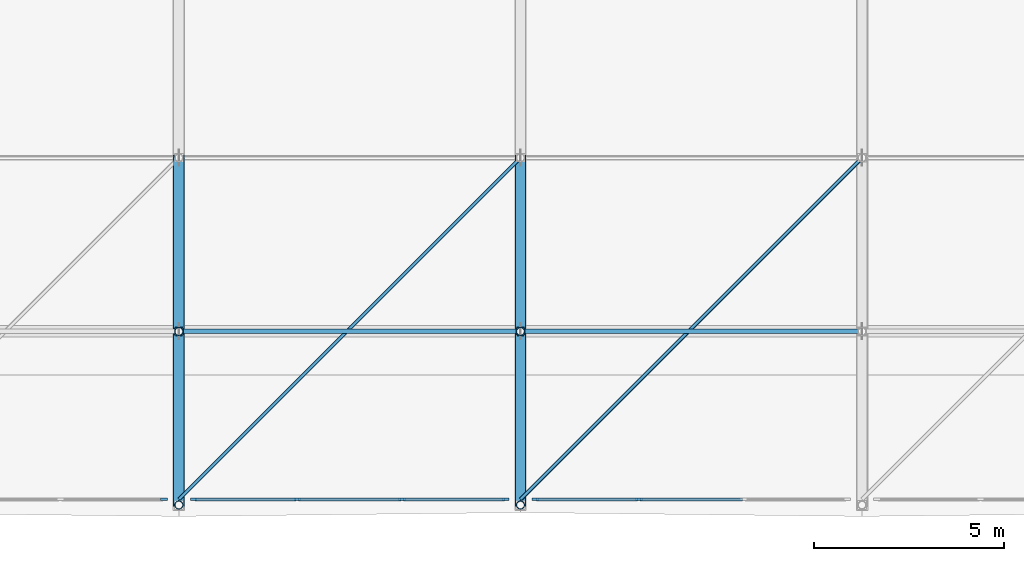
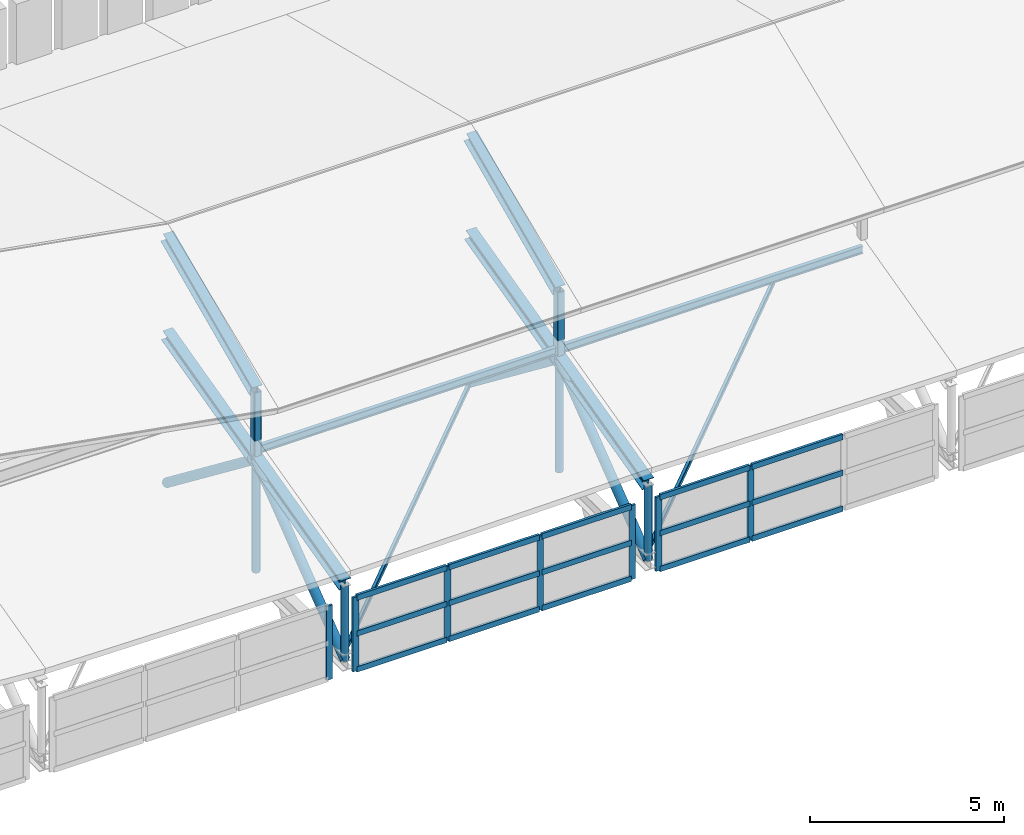
# One storey, part 3 of 42: 40 members, 3 elements without a shape of their own.
"""IFC4 building model written with IfcOpenShell, lengths in metres."""

import ifcopenshell
import ifcopenshell.guid

model = None  # the IFC model being written
_history = None  # IfcOwnerHistory: only IFC2X3 demands one
_inside = {}  # id of a spatial element -> (the spatial element, [elements in it])
_under = {}  # id of a project, library or spatial element -> (it, [spatial elements below it])
_declared = {}  # id of a project -> (the project, [libraries it declares])
_typed = {}  # id of a type object -> (the type object, [elements of that type])
_made_of = {}  # id of a material, layer set ... -> (it, [elements and type objects made of it])


def new_model(schema):
    """Start an empty IFC model of exactly this schema.

    Asked for "IFC4X3", IfcOpenShell would pick the latest addendum, in which some entities
    have other attributes; the version numbers below select the first issue.
    IFC2X3 requires an IfcOwnerHistory on every rooted entity: one is made here for all.
    """
    global model, _history
    if schema == "IFC4X3":
        model = ifcopenshell.file(schema_version=(4, 3, 0, 0))
    else:
        model = ifcopenshell.file(schema=schema)
    _inside.clear()
    _under.clear()
    _declared.clear()
    _typed.clear()
    _made_of.clear()
    _history = None
    if model.schema == "IFC2X3":
        org = make("IfcOrganization", Name="unknown")
        user = make(
            "IfcPersonAndOrganization",
            ThePerson=make("IfcPerson", FamilyName="unknown"),
            TheOrganization=org,
        )
        app = make(
            "IfcApplication",
            ApplicationDeveloper=org,
            Version="unknown",
            ApplicationFullName="unknown",
            ApplicationIdentifier="unknown",
        )
        _history = make(
            "IfcOwnerHistory",
            OwningUser=user,
            OwningApplication=app,
            ChangeAction="ADDED",
            CreationDate=0,
        )
    return model


def make(cls, **values):
    """One entity of the class cls with the attributes given. An attribute that is None is left unset."""
    return model.create_entity(
        cls, **{name: value for name, value in values.items() if value is not None}
    )


def rooted(cls, **values):
    """An entity with a GlobalId (a new one), such as an element, a storey or a relation."""
    return make(cls, GlobalId=ifcopenshell.guid.new(), OwnerHistory=_history, **values)


def si_unit(unit_type, name, prefix=None):
    """IfcSIUnit, for example si_unit("LENGTHUNIT", "METRE", prefix="MILLI")."""
    return make("IfcSIUnit", UnitType=unit_type, Prefix=prefix, Name=name)


def assignment(units):
    """IfcUnitAssignment: the units of a project."""
    return None if units is None else make("IfcUnitAssignment", Units=units)


def point(xyz):
    """IfcCartesianPoint."""
    return None if xyz is None else make("IfcCartesianPoint", Coordinates=xyz)


def direction(xyz):
    """IfcDirection."""
    return None if xyz is None else make("IfcDirection", DirectionRatios=xyz)


def frame(location, z_axis=None, x_axis=None):
    """IfcAxis2Placement3D, a coordinate frame: its origin and axes. An axis left out is left unset."""
    return make(
        "IfcAxis2Placement3D",
        Location=point(location),
        Axis=direction(z_axis),
        RefDirection=direction(x_axis),
    )


def frame_2d(location, x_axis=None):
    """IfcAxis2Placement2D, a coordinate frame in the plane: its origin and x axis."""
    return make(
        "IfcAxis2Placement2D", Location=point(location), RefDirection=direction(x_axis)
    )


def origin():
    """The frame at (0, 0, 0) with its axes left unset."""
    return frame((0.0, 0.0, 0.0))


def origin_2d():
    """The frame at (0, 0) in the plane with its x axis left unset."""
    return frame_2d((0.0, 0.0))


def place(relative_to, where):
    """IfcLocalPlacement: puts the frame where relative to a parent placement (None: the world)."""
    return make(
        "IfcLocalPlacement", PlacementRelTo=relative_to, RelativePlacement=where
    )


def context(
    kind, dimensions, precision=None, world=None, true_north=None, identifier=None
):
    """IfcGeometricRepresentationContext, for example the 3D "Model" context."""
    return make(
        "IfcGeometricRepresentationContext",
        ContextIdentifier=identifier,
        ContextType=kind,
        CoordinateSpaceDimension=dimensions,
        Precision=precision,
        WorldCoordinateSystem=world,
        TrueNorth=true_north,
    )


def subcontext(parent, identifier, kind, view, scale=None):
    """IfcGeometricRepresentationSubContext, for example "Body" below "Model"."""
    return make(
        "IfcGeometricRepresentationSubContext",
        ContextIdentifier=identifier,
        ContextType=kind,
        ParentContext=parent,
        TargetScale=scale,
        TargetView=view,
    )


def project(units=None, contexts=None):
    """IfcProject with its units and contexts."""
    return rooted(
        "IfcProject",
        Name="project",
        RepresentationContexts=contexts,
        UnitsInContext=assignment(units),
    )


def spatial(cls, under=None, at=None, **own):
    """A site, building, storey or space (cls), placed at a placement, below another one or the project."""
    s = rooted(cls, ObjectPlacement=at, **own)
    if under is not None:
        _under.setdefault(under.id(), (under, []))[1].append(s)
    return s


def profile(cls, at=None, kind="AREA", **sizes):
    """A parametric profile (cls). Its sizes go by their IFC names, for example OverallWidth=200.0."""
    return make(cls, ProfileType=kind, Position=at, **sizes)


def rectangle(**sizes):
    """IfcRectangleProfileDef."""
    return profile("IfcRectangleProfileDef", **sizes)


def hollow_rectangle(**sizes):
    """IfcRectangleHollowProfileDef."""
    return profile("IfcRectangleHollowProfileDef", **sizes)


def hollow_circle(**sizes):
    """IfcCircleHollowProfileDef."""
    return profile("IfcCircleHollowProfileDef", **sizes)


def i_section(**sizes):
    """IfcIShapeProfileDef."""
    return profile("IfcIShapeProfileDef", **sizes)


def extrude(swept, where, along, depth):
    """IfcExtrudedAreaSolid: the profile swept, set in the frame where, extruded along a direction by depth."""
    return make(
        "IfcExtrudedAreaSolid",
        SweptArea=swept,
        Position=where,
        ExtrudedDirection=direction(along),
        Depth=depth,
    )


def shape(context_of_items, identifier, shape_type, items):
    """IfcShapeRepresentation: the items that make up one representation, for example the "Body"."""
    return make(
        "IfcShapeRepresentation",
        ContextOfItems=context_of_items,
        RepresentationIdentifier=identifier,
        RepresentationType=shape_type,
        Items=items,
    )


def material(Name=None, Category=None):
    """IfcMaterial."""
    return make("IfcMaterial", Name=Name, Category=Category)


def material_profile(
    of_material, cross_section, Name=None, Category=None, Priority=None
):
    """IfcMaterialProfile: a cross section and its material."""
    return make(
        "IfcMaterialProfile",
        Name=Name,
        Material=of_material,
        Profile=cross_section,
        Priority=Priority,
        Category=Category,
    )


def profile_set(profiles, Name=None, composite=None):
    """IfcMaterialProfileSet."""
    return make(
        "IfcMaterialProfileSet",
        Name=Name,
        MaterialProfiles=profiles,
        CompositeProfile=composite,
    )


def made_of(thing, what):
    """Note that an element or type object is made of a material, layer set ...; save() writes the relation."""
    if what is not None:
        _made_of.setdefault(what.id(), (what, []))[1].append(thing)
    return thing


def type_object(cls, material=None, **own):
    """A type object (cls), such as IfcWallType, which elements share."""
    return made_of(rooted(cls, **own), material)


def element(
    cls,
    number,
    at=None,
    inside=None,
    cuts=None,
    type_object=None,
    material=None,
    context=None,
    identifier="Body",
    shape_type=None,
    held_by="IfcProductDefinitionShape",
    body=None,
    shapes=None,
    **own,
):
    """One element of the class cls, such as IfcWall. Its Tag is "e" and its number.

    at: its placement. inside: the storey or other place that contains it. cuts: it is an
    opening in that element (IfcRelVoidsElement). A single representation is given by context,
    identifier, shape_type and body (its items); several are given by shapes. held_by: the class
    of the entity that holds the representations. save() writes the other relations.
    """
    e = rooted(cls, Tag="e%d" % number, ObjectPlacement=at, **own)
    if body is not None:
        shapes = [shape(context, identifier, shape_type, body)]
    if shapes is not None:
        e.Representation = make(held_by, Representations=shapes)
    if inside is not None:
        _inside.setdefault(inside.id(), (inside, []))[1].append(e)
    if cuts is not None:
        rooted(
            "IfcRelVoidsElement", RelatingBuildingElement=cuts, RelatedOpeningElement=e
        )
    if type_object is not None:
        _typed.setdefault(type_object.id(), (type_object, []))[1].append(e)
    return made_of(e, material)


def aggregate(whole, parts):
    """IfcRelAggregates: a whole, such as a stair, and the parts it consists of."""
    return rooted("IfcRelAggregates", RelatingObject=whole, RelatedObjects=parts)


def save(model, path):
    """Write the relations noted so far, then the file.

    IfcRelAggregates (storeys below a building ...), IfcRelContainedInSpatialStructure (elements
    in a storey), IfcRelDefinesByType, IfcRelAssociatesMaterial and IfcRelDeclares: one each for
    every whole, place, type object, material and project.
    """
    for whole, parts in _under.values():
        aggregate(whole, parts)
    for where, things in _inside.values():
        rooted(
            "IfcRelContainedInSpatialStructure",
            RelatedElements=things,
            RelatingStructure=where,
        )
    for kind, things in _typed.values():
        rooted("IfcRelDefinesByType", RelatedObjects=things, RelatingType=kind)
    for what, things in _made_of.values():
        rooted("IfcRelAssociatesMaterial", RelatedObjects=things, RelatingMaterial=what)
    for by, libraries in _declared.values():
        rooted("IfcRelDeclares", RelatingContext=by, RelatedDefinitions=libraries)
    model.write(path)


model = new_model("IFC4")

# Units and contexts
model_context = context("Model", 3, precision=1e-05, world=origin(), true_north=direction((0.0, 1.0)))
body_context = subcontext(model_context, "Body", "Model", "MODEL_VIEW")
ifc_project = project(units=[si_unit("LENGTHUNIT", "METRE"), si_unit("AREAUNIT", "SQUARE_METRE"), si_unit("VOLUMEUNIT", "CUBIC_METRE"), si_unit("PLANEANGLEUNIT", "RADIAN"), si_unit("MASSUNIT", "GRAM", prefix="KILO")], contexts=[model_context])

# Site, building, storey
site_placement = place(None, origin())
site = spatial("IfcSite", under=ifc_project, at=site_placement, CompositionType="ELEMENT")
building_placement = place(site_placement, origin())
building = spatial("IfcBuilding", under=site, at=building_placement, Name="Bozkorgan Art Gallery", CompositionType="ELEMENT")
storey_placement = place(building_placement, frame((0.0, 0.0, 28.800048828125)))
storey = spatial("IfcBuildingStorey", under=building, at=storey_placement, Name="RF", CompositionType="ELEMENT", Elevation=28.800048828125)

# Curtain wall, member
ifc_material_1 = material(Name="Anodised Bronze Aluminium", Category="aluminium")
curtain_wall_type = type_object("IfcCurtainWallType", Name="CW-CW-28", PredefinedType="NOTDEFINED", material=ifc_material_1)
curtain_wall_1_placement = place(storey_placement, origin())
curtain_wall_1 = element("IfcCurtainWall", 1, at=curtain_wall_1_placement, inside=storey, type_object=curtain_wall_type, Name="RF unitised curtain wall CW-RF-V1-S-11", PredefinedType="NOTDEFINED")
ifc_material_profile_1 = material_profile(ifc_material_1, rectangle(XDim=0.06494140625, YDim=0.179931640625, at=origin_2d()), Name="ALU MULLION 65x180")
ifc_profile_set_1 = profile_set([ifc_material_profile_1], Name="Anodised Bronze Aluminium")
member_type_1 = type_object("IfcMemberType", Name="CWM-01", PredefinedType="MULLION", material=ifc_profile_set_1)
member_1_placement = place(storey_placement, frame((19.607421875, 2.0, -0.324951171875), z_axis=(0.0, 0.0, 1.0), x_axis=(0.0, 1.0, 0.0)))
member_1 = element("IfcMember", 2, at=member_1_placement, type_object=member_type_1, Name="CW-28 mullion 4", PredefinedType="MULLION", context=body_context, shape_type="SweptSolid", body=[
    extrude(rectangle(XDim=0.06494140625, YDim=0.179931640625, at=origin_2d()), origin(), (0.0, 0.0, 1.0), 2.324951171875),
])
aggregate(curtain_wall_1, [member_1])

# Curtain wall, members
curtain_wall_2_placement = place(storey_placement, origin())
curtain_wall_2 = element("IfcCurtainWall", 3, at=curtain_wall_2_placement, inside=storey, type_object=curtain_wall_type, Name="RF unitised curtain wall CW-RF-V1-S-20", PredefinedType="NOTDEFINED")
member_2_placement = place(storey_placement, frame((20.392578125, 2.0, -0.324951171875), z_axis=(0.0, 0.0, 1.0), x_axis=(0.0, 1.0, 0.0)))
member_2 = element("IfcMember", 4, at=member_2_placement, type_object=member_type_1, Name="CW-28 mullion 1", PredefinedType="MULLION", context=body_context, shape_type="SweptSolid", body=[
    extrude(rectangle(XDim=0.06494140625, YDim=0.179931640625, at=origin_2d()), origin(), (0.0, 0.0, 1.0), 2.324951171875),
])
member_3_placement = place(storey_placement, frame((23.1201171875, 2.0, -0.324951171875), z_axis=(0.0, 0.0, 1.0), x_axis=(0.0, 1.0, 0.0)))
member_3 = element("IfcMember", 5, at=member_3_placement, type_object=member_type_1, Name="CW-28 mullion 2", PredefinedType="MULLION", context=body_context, shape_type="SweptSolid", body=[
    extrude(rectangle(XDim=0.06494140625, YDim=0.179931640625, at=origin_2d()), origin(), (0.0, 0.0, 1.0), 2.324951171875),
])
member_4_placement = place(storey_placement, frame((25.8798828125, 2.0, -0.324951171875), z_axis=(0.0, 0.0, 1.0), x_axis=(0.0, 1.0, 0.0)))
member_4 = element("IfcMember", 6, at=member_4_placement, type_object=member_type_1, Name="CW-28 mullion 3", PredefinedType="MULLION", context=body_context, shape_type="SweptSolid", body=[
    extrude(rectangle(XDim=0.06494140625, YDim=0.179931640625, at=origin_2d()), origin(), (0.0, 0.0, 1.0), 2.324951171875),
])
member_5_placement = place(storey_placement, frame((28.607421875, 2.0, -0.324951171875), z_axis=(0.0, 0.0, 1.0), x_axis=(0.0, 1.0, 0.0)))
member_5 = element("IfcMember", 7, at=member_5_placement, type_object=member_type_1, Name="CW-28 mullion 4", PredefinedType="MULLION", context=body_context, shape_type="SweptSolid", body=[
    extrude(rectangle(XDim=0.06494140625, YDim=0.179931640625, at=origin_2d()), origin(), (0.0, 0.0, 1.0), 2.324951171875),
])

curtain_wall_3_placement = place(storey_placement, origin())
curtain_wall_3 = element("IfcCurtainWall", 8, at=curtain_wall_3_placement, inside=storey, type_object=curtain_wall_type, Name="RF unitised curtain wall CW-RF-V1-S-29", PredefinedType="NOTDEFINED")
member_6_placement = place(storey_placement, frame((29.392578125, 2.0, -0.324951171875), z_axis=(0.0, 0.0, 1.0), x_axis=(0.0, 1.0, 0.0)))
member_6 = element("IfcMember", 9, at=member_6_placement, type_object=member_type_1, Name="CW-28 mullion 1", PredefinedType="MULLION", context=body_context, shape_type="SweptSolid", body=[
    extrude(rectangle(XDim=0.06494140625, YDim=0.179931640625, at=origin_2d()), origin(), (0.0, 0.0, 1.0), 2.324951171875),
])
member_7_placement = place(storey_placement, frame((32.1201171875, 2.0, -0.324951171875), z_axis=(0.0, 0.0, 1.0), x_axis=(0.0, 1.0, 0.0)))
member_7 = element("IfcMember", 10, at=member_7_placement, type_object=member_type_1, Name="CW-28 mullion 2", PredefinedType="MULLION", context=body_context, shape_type="SweptSolid", body=[
    extrude(rectangle(XDim=0.06494140625, YDim=0.179931640625, at=origin_2d()), origin(), (0.0, 0.0, 1.0), 2.324951171875),
])

# Member
ifc_material_profile_2 = material_profile(ifc_material_1, rectangle(XDim=0.074951171875, YDim=0.169921875, at=origin_2d()), Name="ALU TRANSOM 75x170")
ifc_profile_set_2 = profile_set([ifc_material_profile_2], Name="Anodised Bronze Aluminium")
member_type_2 = type_object("IfcMemberType", Name="CWT-02", PredefinedType="USERDEFINED", material=ifc_profile_set_2)
member_8_placement = place(storey_placement, frame((20.425048828125, 2.0, -0.28759765625), z_axis=(1.0, 0.0, 0.0), x_axis=(0.0, 1.0, 0.0)))
member_8 = element("IfcMember", 11, at=member_8_placement, type_object=member_type_2, Name="CW-28 transom 1.1", ObjectType="TRANSOM", PredefinedType="USERDEFINED", context=body_context, shape_type="SweptSolid", body=[
    extrude(rectangle(XDim=0.074951171875, YDim=0.169921875, at=origin_2d()), origin(), (0.0, 0.0, 1.0), 2.662353515625),
])

member_9_placement = place(storey_placement, frame((20.425048828125, 2.0, 0.837890625), z_axis=(1.0, 0.0, 0.0), x_axis=(0.0, 1.0, 0.0)))
member_9 = element("IfcMember", 12, at=member_9_placement, type_object=member_type_2, Name="CW-28 transom 1.2", ObjectType="TRANSOM", PredefinedType="USERDEFINED", context=body_context, shape_type="SweptSolid", body=[
    extrude(rectangle(XDim=0.074951171875, YDim=0.169921875, at=origin_2d()), origin(), (0.0, 0.0, 1.0), 2.662353515625),
])

member_10_placement = place(storey_placement, frame((20.425048828125, 2.0, 1.96240234375), z_axis=(1.0, 0.0, 0.0), x_axis=(0.0, 1.0, 0.0)))
member_10 = element("IfcMember", 13, at=member_10_placement, type_object=member_type_2, Name="CW-28 transom 1.3", ObjectType="TRANSOM", PredefinedType="USERDEFINED", context=body_context, shape_type="SweptSolid", body=[
    extrude(rectangle(XDim=0.074951171875, YDim=0.169921875, at=origin_2d()), origin(), (0.0, 0.0, 1.0), 2.662353515625),
])

member_11_placement = place(storey_placement, frame((23.152587890625, 2.0, -0.28759765625), z_axis=(1.0, 0.0, 0.0), x_axis=(0.0, 1.0, 0.0)))
member_11 = element("IfcMember", 14, at=member_11_placement, type_object=member_type_2, Name="CW-28 transom 2.1", ObjectType="TRANSOM", PredefinedType="USERDEFINED", context=body_context, shape_type="SweptSolid", body=[
    extrude(rectangle(XDim=0.074951171875, YDim=0.169921875, at=origin_2d()), origin(), (0.0, 0.0, 1.0), 2.69482421875),
])

member_12_placement = place(storey_placement, frame((23.152587890625, 2.0, 0.837890625), z_axis=(1.0, 0.0, 0.0), x_axis=(0.0, 1.0, 0.0)))
member_12 = element("IfcMember", 15, at=member_12_placement, type_object=member_type_2, Name="CW-28 transom 2.2", ObjectType="TRANSOM", PredefinedType="USERDEFINED", context=body_context, shape_type="SweptSolid", body=[
    extrude(rectangle(XDim=0.074951171875, YDim=0.169921875, at=origin_2d()), origin(), (0.0, 0.0, 1.0), 2.69482421875),
])

member_13_placement = place(storey_placement, frame((23.152587890625, 2.0, 1.96240234375), z_axis=(1.0, 0.0, 0.0), x_axis=(0.0, 1.0, 0.0)))
member_13 = element("IfcMember", 16, at=member_13_placement, type_object=member_type_2, Name="CW-28 transom 2.3", ObjectType="TRANSOM", PredefinedType="USERDEFINED", context=body_context, shape_type="SweptSolid", body=[
    extrude(rectangle(XDim=0.074951171875, YDim=0.169921875, at=origin_2d()), origin(), (0.0, 0.0, 1.0), 2.69482421875),
])

member_14_placement = place(storey_placement, frame((25.91259765625, 2.0, -0.28759765625), z_axis=(1.0, 0.0, 0.0), x_axis=(0.0, 1.0, 0.0)))
member_14 = element("IfcMember", 17, at=member_14_placement, type_object=member_type_2, Name="CW-28 transom 3.1", ObjectType="TRANSOM", PredefinedType="USERDEFINED", context=body_context, shape_type="SweptSolid", body=[
    extrude(rectangle(XDim=0.074951171875, YDim=0.169921875, at=origin_2d()), origin(), (0.0, 0.0, 1.0), 2.662353515625),
])

member_15_placement = place(storey_placement, frame((25.91259765625, 2.0, 0.837890625), z_axis=(1.0, 0.0, 0.0), x_axis=(0.0, 1.0, 0.0)))
member_15 = element("IfcMember", 18, at=member_15_placement, type_object=member_type_2, Name="CW-28 transom 3.2", ObjectType="TRANSOM", PredefinedType="USERDEFINED", context=body_context, shape_type="SweptSolid", body=[
    extrude(rectangle(XDim=0.074951171875, YDim=0.169921875, at=origin_2d()), origin(), (0.0, 0.0, 1.0), 2.662353515625),
])

member_16_placement = place(storey_placement, frame((25.91259765625, 2.0, 1.96240234375), z_axis=(1.0, 0.0, 0.0), x_axis=(0.0, 1.0, 0.0)))
member_16 = element("IfcMember", 19, at=member_16_placement, type_object=member_type_2, Name="CW-28 transom 3.3", ObjectType="TRANSOM", PredefinedType="USERDEFINED", context=body_context, shape_type="SweptSolid", body=[
    extrude(rectangle(XDim=0.074951171875, YDim=0.169921875, at=origin_2d()), origin(), (0.0, 0.0, 1.0), 2.662353515625),
])

aggregate(curtain_wall_2, [member_2, member_3, member_4, member_5, member_8, member_9, member_10, member_11, member_12, member_13, member_14, member_15, member_16])

member_17_placement = place(storey_placement, frame((29.425048828125, 2.0, -0.28759765625), z_axis=(1.0, 0.0, 0.0), x_axis=(0.0, 1.0, 0.0)))
member_17 = element("IfcMember", 20, at=member_17_placement, type_object=member_type_2, Name="CW-28 transom 1.1", ObjectType="TRANSOM", PredefinedType="USERDEFINED", context=body_context, shape_type="SweptSolid", body=[
    extrude(rectangle(XDim=0.074951171875, YDim=0.169921875, at=origin_2d()), origin(), (0.0, 0.0, 1.0), 2.662353515625),
])

member_18_placement = place(storey_placement, frame((29.425048828125, 2.0, 0.837890625), z_axis=(1.0, 0.0, 0.0), x_axis=(0.0, 1.0, 0.0)))
member_18 = element("IfcMember", 21, at=member_18_placement, type_object=member_type_2, Name="CW-28 transom 1.2", ObjectType="TRANSOM", PredefinedType="USERDEFINED", context=body_context, shape_type="SweptSolid", body=[
    extrude(rectangle(XDim=0.074951171875, YDim=0.169921875, at=origin_2d()), origin(), (0.0, 0.0, 1.0), 2.662353515625),
])

member_19_placement = place(storey_placement, frame((29.425048828125, 2.0, 1.96240234375), z_axis=(1.0, 0.0, 0.0), x_axis=(0.0, 1.0, 0.0)))
member_19 = element("IfcMember", 22, at=member_19_placement, type_object=member_type_2, Name="CW-28 transom 1.3", ObjectType="TRANSOM", PredefinedType="USERDEFINED", context=body_context, shape_type="SweptSolid", body=[
    extrude(rectangle(XDim=0.074951171875, YDim=0.169921875, at=origin_2d()), origin(), (0.0, 0.0, 1.0), 2.662353515625),
])

member_20_placement = place(storey_placement, frame((32.152587890625, 2.0, -0.28759765625), z_axis=(1.0, 0.0, 0.0), x_axis=(0.0, 1.0, 0.0)))
member_20 = element("IfcMember", 23, at=member_20_placement, type_object=member_type_2, Name="CW-28 transom 2.1", ObjectType="TRANSOM", PredefinedType="USERDEFINED", context=body_context, shape_type="SweptSolid", body=[
    extrude(rectangle(XDim=0.074951171875, YDim=0.169921875, at=origin_2d()), origin(), (0.0, 0.0, 1.0), 2.69482421875),
])

member_21_placement = place(storey_placement, frame((32.152587890625, 2.0, 0.837890625), z_axis=(1.0, 0.0, 0.0), x_axis=(0.0, 1.0, 0.0)))
member_21 = element("IfcMember", 24, at=member_21_placement, type_object=member_type_2, Name="CW-28 transom 2.2", ObjectType="TRANSOM", PredefinedType="USERDEFINED", context=body_context, shape_type="SweptSolid", body=[
    extrude(rectangle(XDim=0.074951171875, YDim=0.169921875, at=origin_2d()), origin(), (0.0, 0.0, 1.0), 2.69482421875),
])

member_22_placement = place(storey_placement, frame((32.152587890625, 2.0, 1.96240234375), z_axis=(1.0, 0.0, 0.0), x_axis=(0.0, 1.0, 0.0)))
member_22 = element("IfcMember", 25, at=member_22_placement, type_object=member_type_2, Name="CW-28 transom 2.3", ObjectType="TRANSOM", PredefinedType="USERDEFINED", context=body_context, shape_type="SweptSolid", body=[
    extrude(rectangle(XDim=0.074951171875, YDim=0.169921875, at=origin_2d()), origin(), (0.0, 0.0, 1.0), 2.69482421875),
])

aggregate(curtain_wall_3, [member_6, member_7, member_17, member_18, member_19, member_20, member_21, member_22])

# Members
ifc_material_2 = material(Name="Steel S355J2", Category="steel")
ifc_material_profile_3 = material_profile(ifc_material_2, hollow_rectangle(XDim=0.219970703125, YDim=0.219970703125, WallThickness=0.012451171875, InnerFilletRadius=0.018798828125, OuterFilletRadius=0.03125, at=origin_2d()), Name="SHS 220x220x12.5")
ifc_profile_set_3 = profile_set([ifc_material_profile_3], Name="Steel S355J2")
member_type_3 = type_object("IfcMemberType", Name="MEMBER-CP-34", PredefinedType="POST", material=ifc_profile_set_3)
for number, where, z_axis, x_axis, name in (
    (26, (20.0, 6.425048828125, 3.76953125), (0.0, 0.0, 1.0), (1.0, 0.0, 0.0), "V1 upper clerestory truss post 2S"),
    (27, (29.0, 6.425048828125, 3.76953125), (0.0, 0.0, 1.0), (1.0, 0.0, 0.0), "V1 upper clerestory truss post 3S"),
):
    element("IfcMember", number, at=place(storey_placement, frame(where, z_axis=z_axis, x_axis=x_axis)), inside=storey, type_object=member_type_3, Name=name, PredefinedType="POST", context=body_context, shape_type="SweptSolid", body=[
        extrude(hollow_rectangle(XDim=0.219970703125, YDim=0.219970703125, WallThickness=0.012451171875, InnerFilletRadius=0.018798828125, OuterFilletRadius=0.03125, at=origin_2d()), origin(), (0.0, 0.0, 1.0), 2.155517578125),
    ])
ifc_material_profile_4 = material_profile(ifc_material_2, i_section(OverallWidth=0.1201171875, OverallDepth=0.239990234375, WebThickness=0.006103515625, FlangeThickness=0.009765625, FilletRadius=0.014892578125, at=origin_2d()), Name="IPE 240")
ifc_profile_set_4 = profile_set([ifc_material_profile_4], Name="Steel S355J2")
member_type_4 = type_object("IfcMemberType", Name="MEMBER-PR-34", PredefinedType="PURLIN", material=ifc_profile_set_4)
for number, where, z_axis, x_axis, name in (
    (28, (20.0, 6.425048828125, 4.064453125), (1.0, 0.0, 0.0), (0.0, 1.0, 0.0), "ROOF-V1-MAIN roof purlin 3S"),
    (29, (29.0, 6.425048828125, 4.064453125), (1.0, 0.0, 0.0), (0.0, 1.0, 0.0), "ROOF-V1-MAIN roof purlin 4S"),
):
    element("IfcMember", number, at=place(storey_placement, frame(where, z_axis=z_axis, x_axis=x_axis)), inside=storey, type_object=member_type_4, Name=name, PredefinedType="PURLIN", context=body_context, shape_type="SweptSolid", body=[
        extrude(i_section(OverallWidth=0.1201171875, OverallDepth=0.239990234375, WebThickness=0.006103515625, FlangeThickness=0.009765625, FilletRadius=0.014892578125, at=origin_2d()), origin(), (0.0, 0.0, 1.0), 9.0),
    ])
ifc_material_profile_5 = material_profile(ifc_material_2, i_section(OverallWidth=0.300048828125, OverallDepth=0.35009765625, WebThickness=0.010009765625, FlangeThickness=0.017578125, FilletRadius=0.027099609375, at=origin_2d()), Name="HEA 360")
ifc_profile_set_5 = profile_set([ifc_material_profile_5], Name="Steel S355J2")
member_type_5 = type_object("IfcMemberType", Name="MEMBER-TC-31", PredefinedType="CHORD", material=ifc_profile_set_5)
for number, where, z_axis, x_axis, name in (
    (30, (20.0, 1.85009765625, 2.61181640625), (0.0, 0.969441609257, 0.245322168264), (-1.0, 0.0, 0.0), "ROOF-V1-MAIN roof truss 3 south top chord"),
    (31, (29.0, 1.85009765625, 2.61181640625), (0.0, 0.969441609257, 0.245322168264), (-1.0, 0.0, 0.0), "ROOF-V1-MAIN roof truss 4 south top chord"),
):
    element("IfcMember", number, at=place(storey_placement, frame(where, z_axis=z_axis, x_axis=x_axis)), inside=storey, type_object=member_type_5, Name=name, PredefinedType="CHORD", context=body_context, shape_type="SweptSolid", body=[
        extrude(i_section(OverallWidth=0.300048828125, OverallDepth=0.35009765625, WebThickness=0.010009765625, FlangeThickness=0.017578125, FilletRadius=0.027099609375, at=origin_2d()), origin(), (0.0, 0.0, 1.0), 9.438232421875),
    ])
for number, where, z_axis, x_axis, name in (
    (32, (20.0, 6.425048828125, 5.925048828125), (0.0, 0.911129223814, 0.412120780247), (-1.0, 0.0, 0.0), "V1 stacked upper south chord 2"),
    (33, (29.0, 6.425048828125, 5.925048828125), (0.0, 0.911129223814, 0.412120780247), (-1.0, 0.0, 0.0), "V1 stacked upper south chord 3"),
):
    element("IfcMember", number, at=place(storey_placement, frame(where, z_axis=z_axis, x_axis=x_axis)), inside=storey, type_object=member_type_5, Name=name, PredefinedType="CHORD", context=body_context, shape_type="SweptSolid", body=[
        extrude(i_section(OverallWidth=0.300048828125, OverallDepth=0.35009765625, WebThickness=0.010009765625, FlangeThickness=0.017578125, FilletRadius=0.027099609375, at=origin_2d()), origin(), (0.0, 0.0, 1.0), 5.021240234375),
    ])
ifc_material_profile_6 = material_profile(ifc_material_2, hollow_circle(Radius=0.109619140625, WallThickness=0.010009765625, at=origin_2d()), Name="CHS 219.1x10")
ifc_profile_set_6 = profile_set([ifc_material_profile_6], Name="Steel S355J2")
member_type_6 = type_object("IfcMemberType", Name="MEMBER-TP-78", PredefinedType="POST", material=ifc_profile_set_6)
member_23_placement = place(storey_placement, frame((20.0, 1.85009765625, 0.25), z_axis=(0.0, 0.0, 1.0), x_axis=(1.0, 0.0, 0.0)))
element("IfcMember", 34, at=member_23_placement, inside=storey, type_object=member_type_6, Name="ROOF-V1-MAIN roof truss 3 post 0", PredefinedType="POST", context=body_context, shape_type="SweptSolid", body=[
    extrude(hollow_circle(Radius=0.109619140625, WallThickness=0.010009765625, at=origin_2d()), origin(), (0.0, 0.0, 1.0), 2.36181640625),
])
member_24_placement = place(storey_placement, frame((20.0, 6.425048828125, 0.25), z_axis=(0.0, 0.0, 1.0), x_axis=(1.0, 0.0, 0.0)))
element("IfcMember", 35, at=member_24_placement, inside=storey, type_object=member_type_6, Name="ROOF-V1-MAIN roof truss 3 post 1", PredefinedType="POST", context=body_context, shape_type="SweptSolid", body=[
    extrude(hollow_circle(Radius=0.109619140625, WallThickness=0.010009765625, at=origin_2d()), origin(), (0.0, 0.0, 1.0), 3.51953125),
])
member_25_placement = place(storey_placement, frame((29.0, 1.85009765625, 0.25), z_axis=(0.0, 0.0, 1.0), x_axis=(1.0, 0.0, 0.0)))
element("IfcMember", 36, at=member_25_placement, inside=storey, type_object=member_type_6, Name="ROOF-V1-MAIN roof truss 4 post 0", PredefinedType="POST", context=body_context, shape_type="SweptSolid", body=[
    extrude(hollow_circle(Radius=0.109619140625, WallThickness=0.010009765625, at=origin_2d()), origin(), (0.0, 0.0, 1.0), 2.36181640625),
])
member_26_placement = place(storey_placement, frame((29.0, 6.425048828125, 0.25), z_axis=(0.0, 0.0, 1.0), x_axis=(1.0, 0.0, 0.0)))
element("IfcMember", 37, at=member_26_placement, inside=storey, type_object=member_type_6, Name="ROOF-V1-MAIN roof truss 4 post 1", PredefinedType="POST", context=body_context, shape_type="SweptSolid", body=[
    extrude(hollow_circle(Radius=0.109619140625, WallThickness=0.010009765625, at=origin_2d()), origin(), (0.0, 0.0, 1.0), 3.51953125),
])
ifc_material_profile_7 = material_profile(ifc_material_2, hollow_circle(Radius=0.136474609375, WallThickness=0.012451171875, at=origin_2d()), Name="CHS 273x12.5")
ifc_profile_set_7 = profile_set([ifc_material_profile_7], Name="Steel S355J2")
member_type_7 = type_object("IfcMemberType", Name="MEMBER-TW-28", PredefinedType="BRACE", material=ifc_profile_set_7)
for number, where, z_axis, x_axis, name in (
    (38, (20.0, 1.85009765625, 0.25), (0.0, 0.792595685704, 0.609747553504), (-1.0, 0.0, 0.0), "ROOF-V1-MAIN roof truss 3 diagonal 1"),
    (39, (20.0, 6.425048828125, 3.76953125), (0.0, 0.792595685704, -0.609747553504), (-1.0, 0.0, 0.0), "ROOF-V1-MAIN roof truss 3 diagonal 2"),
    (40, (29.0, 1.85009765625, 0.25), (0.0, 0.792595685704, 0.609747553504), (-1.0, 0.0, 0.0), "ROOF-V1-MAIN roof truss 4 diagonal 1"),
    (41, (29.0, 6.425048828125, 3.76953125), (0.0, 0.792595685704, -0.609747553504), (-1.0, 0.0, 0.0), "ROOF-V1-MAIN roof truss 4 diagonal 2"),
):
    element("IfcMember", number, at=place(storey_placement, frame(where, z_axis=z_axis, x_axis=x_axis)), inside=storey, type_object=member_type_7, Name=name, PredefinedType="BRACE", context=body_context, shape_type="SweptSolid", body=[
        extrude(hollow_circle(Radius=0.136474609375, WallThickness=0.012451171875, at=origin_2d()), origin(), (0.0, 0.0, 1.0), 5.772216796875),
    ])
ifc_material_profile_8 = material_profile(ifc_material_2, hollow_rectangle(XDim=0.10009765625, YDim=0.14990234375, WallThickness=0.008056640625, InnerFilletRadius=0.011962890625, OuterFilletRadius=0.02001953125, at=origin_2d()), Name="RHS 150x100x8")
ifc_profile_set_8 = profile_set([ifc_material_profile_8], Name="Steel S355J2")
member_type_8 = type_object("IfcMemberType", Name="MEMBER-WB-10", PredefinedType="BRACE", material=ifc_profile_set_8)
for number, where, z_axis, x_axis, name in (
    (42, (20.0, 2.0, 0.25), (0.707106781187, 0.707106781187, 0.0), (-0.707106781187, 0.707106781187, 0.0), "ROOF-V1-MAIN roof diaphragm wind brace 3"),
    (43, (29.0, 2.0, 0.25), (0.707106781187, 0.707106781187, 0.0), (-0.707106781187, 0.707106781187, 0.0), "ROOF-V1-MAIN roof diaphragm wind brace 4"),
):
    element("IfcMember", number, at=place(storey_placement, frame(where, z_axis=z_axis, x_axis=x_axis)), inside=storey, type_object=member_type_8, Name=name, PredefinedType="BRACE", context=body_context, shape_type="SweptSolid", body=[
        extrude(hollow_rectangle(XDim=0.10009765625, YDim=0.14990234375, WallThickness=0.008056640625, InnerFilletRadius=0.011962890625, OuterFilletRadius=0.02001953125, at=origin_2d()), origin(), (0.0, 0.0, 1.0), 12.72802734375),
    ])

save(model, "model.ifc")
